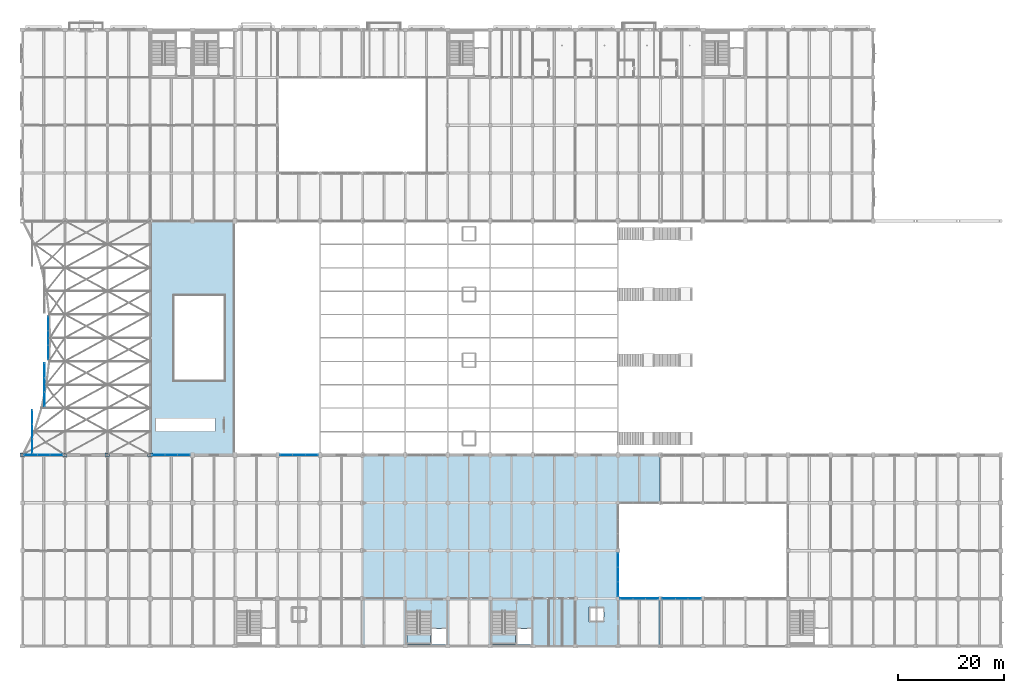
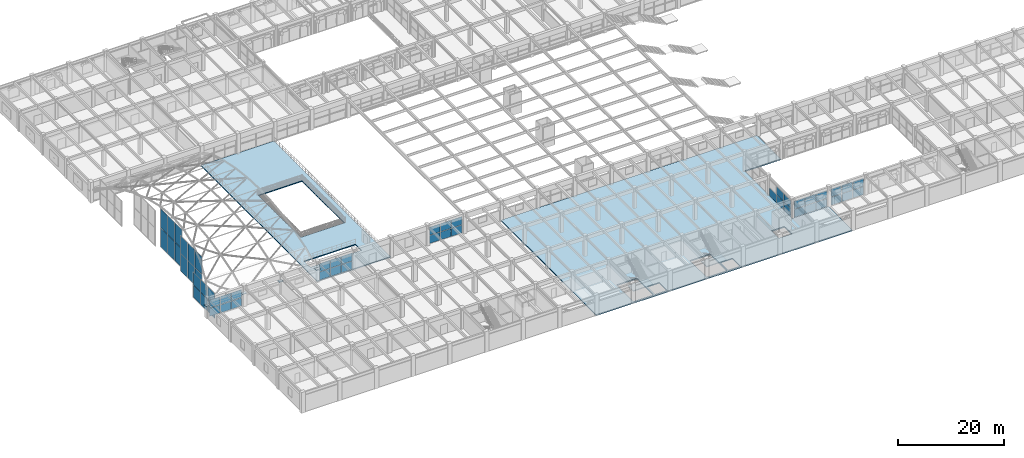
# One storey, part 92 of 144: 57 plates, 4 slabs, 11 elements without a shape of their own.
"""IFC4 building model written with IfcOpenShell, lengths in metres."""

from ifc_helpers import new_model, si_unit, direction, frame, origin, origin_2d, place, context, subcontext, project, spatial, polyline, rectangle, outline, extrude, material, layer, layer_set, type_object, element, aggregate, save


model = new_model("IFC4")

# Units and contexts
model_context = context("Model", 3, precision=1e-05, world=origin(), true_north=direction((0.0, 1.0)))
body_context = subcontext(model_context, "Body", "Model", "MODEL_VIEW")
ifc_project = project(units=[si_unit("LENGTHUNIT", "METRE"), si_unit("AREAUNIT", "SQUARE_METRE"), si_unit("VOLUMEUNIT", "CUBIC_METRE"), si_unit("PLANEANGLEUNIT", "RADIAN"), si_unit("MASSUNIT", "GRAM", prefix="KILO")], contexts=[model_context])

# Site, building, storey
site_placement = place(None, origin())
site = spatial("IfcSite", under=ifc_project, at=site_placement, CompositionType="ELEMENT")
building_placement = place(site_placement, origin())
building = spatial("IfcBuilding", under=site, at=building_placement, Name="Varnabhumi Central Station", CompositionType="ELEMENT")
storey_placement = place(building_placement, frame((0.0, 0.0, 4.800048828125)))
storey = spatial("IfcBuildingStorey", under=building, at=storey_placement, Name="L01", CompositionType="ELEMENT", Elevation=4.800048828125)

# Curtain wall, plates
ifc_material_1 = material(Name="Anodised aluminium 6063-T6", Category="aluminium")
curtain_wall_type_1 = type_object("IfcCurtainWallType", Name="CW-SPINE-SCREEN-L0", PredefinedType="NOTDEFINED", material=ifc_material_1)
curtain_wall_1_placement = place(storey_placement, origin())
curtain_wall_1 = element("IfcCurtainWall", 1, at=curtain_wall_1_placement, inside=storey, type_object=curtain_wall_type_1, Name="Curtain Wall CW-SS100", PredefinedType="NOTDEFINED")
ifc_material_2 = material(Name="Laminated low-E double glazing", Category="glass")
ifc_layer_1 = layer(ifc_material_2, 0.035888671875, Name="Laminated low-E double glazing", Category="glass")
ifc_layer_set_1 = layer_set([ifc_layer_1], Name="Laminated low-E double glazing")
plate_type_1 = type_object("IfcPlateType", Name="CW-PNL-GLZ-2", PredefinedType="CURTAIN_PANEL", material=ifc_layer_set_1)
plate_1_placement = place(storey_placement, frame((1.63330078125, 36.0, 0.0400390625), z_axis=(0.0, 0.0, 1.0), x_axis=(1.0, 0.0, 0.0)))
plate_1 = element("IfcPlate", 2, at=plate_1_placement, type_object=plate_type_1, Name="Glazed Panel CW-SS100-P11", PredefinedType="CURTAIN_PANEL", context=body_context, shape_type="SweptSolid", body=[
    extrude(rectangle(XDim=2.28662109375, YDim=0.035888671875, at=origin_2d()), origin(), (0.0, 0.0, 1.0), 1.840087890625),
])
plate_2_placement = place(storey_placement, frame((1.63330078125, 36.0, 1.9599609375), z_axis=(0.0, 0.0, 1.0), x_axis=(1.0, 0.0, 0.0)))
plate_2 = element("IfcPlate", 3, at=plate_2_placement, type_object=plate_type_1, Name="Glazed Panel CW-SS100-P12", PredefinedType="CURTAIN_PANEL", context=body_context, shape_type="SweptSolid", body=[
    extrude(rectangle(XDim=2.28662109375, YDim=0.035888671875, at=origin_2d()), origin(), (0.0, 0.0, 1.0), 1.840087890625),
])
plate_3_placement = place(storey_placement, frame((4.0, 36.0, 0.0400390625), z_axis=(0.0, 0.0, 1.0), x_axis=(1.0, 0.0, 0.0)))
plate_3 = element("IfcPlate", 4, at=plate_3_placement, type_object=plate_type_1, Name="Glazed Panel CW-SS100-P21", PredefinedType="CURTAIN_PANEL", context=body_context, shape_type="SweptSolid", body=[
    extrude(rectangle(XDim=2.28662109375, YDim=0.035888671875, at=origin_2d()), origin(), (0.0, 0.0, 1.0), 1.840087890625),
])
plate_4_placement = place(storey_placement, frame((4.0, 36.0, 1.9599609375), z_axis=(0.0, 0.0, 1.0), x_axis=(1.0, 0.0, 0.0)))
plate_4 = element("IfcPlate", 5, at=plate_4_placement, type_object=plate_type_1, Name="Glazed Panel CW-SS100-P22", PredefinedType="CURTAIN_PANEL", context=body_context, shape_type="SweptSolid", body=[
    extrude(rectangle(XDim=2.28662109375, YDim=0.035888671875, at=origin_2d()), origin(), (0.0, 0.0, 1.0), 1.840087890625),
])
plate_5_placement = place(storey_placement, frame((6.36669921875, 36.0, 0.0400390625), z_axis=(0.0, 0.0, 1.0), x_axis=(1.0, 0.0, 0.0)))
plate_5 = element("IfcPlate", 6, at=plate_5_placement, type_object=plate_type_1, Name="Glazed Panel CW-SS100-P31", PredefinedType="CURTAIN_PANEL", context=body_context, shape_type="SweptSolid", body=[
    extrude(rectangle(XDim=2.28662109375, YDim=0.035888671875, at=origin_2d()), origin(), (0.0, 0.0, 1.0), 1.840087890625),
])
plate_6_placement = place(storey_placement, frame((6.36669921875, 36.0, 1.9599609375), z_axis=(0.0, 0.0, 1.0), x_axis=(1.0, 0.0, 0.0)))
plate_6 = element("IfcPlate", 7, at=plate_6_placement, type_object=plate_type_1, Name="Glazed Panel CW-SS100-P32", PredefinedType="CURTAIN_PANEL", context=body_context, shape_type="SweptSolid", body=[
    extrude(rectangle(XDim=2.28662109375, YDim=0.035888671875, at=origin_2d()), origin(), (0.0, 0.0, 1.0), 1.840087890625),
])
aggregate(curtain_wall_1, [plate_1, plate_2, plate_3, plate_4, plate_5, plate_6])

curtain_wall_type_2 = type_object("IfcCurtainWallType", Name="CW-VAULT-ARCH-V1", PredefinedType="NOTDEFINED", material=ifc_material_1)
curtain_wall_2_placement = place(storey_placement, origin())
curtain_wall_2 = element("IfcCurtainWall", 8, at=curtain_wall_2_placement, inside=storey, type_object=curtain_wall_type_2, Name="Curtain Wall CW-V11", PredefinedType="NOTDEFINED")
ifc_layer_2 = layer(ifc_material_2, 0.035888671875, Name="Laminated low-E double glazing", Category="glass")
ifc_layer_set_2 = layer_set([ifc_layer_2], Name="Laminated low-E double glazing")
plate_type_2 = type_object("IfcPlateType", Name="CW-PNL-GLZ-3", PredefinedType="CURTAIN_PANEL", material=ifc_layer_set_2)
plate_7_placement = place(storey_placement, frame((1.864013671875, 37.699951171875, -1.16015625), z_axis=(0.0, 0.0, 1.0), x_axis=(0.0, 1.0, 0.0)))
plate_7 = element("IfcPlate", 9, at=plate_7_placement, type_object=plate_type_2, Name="Glazed Panel CW-V11-P11", PredefinedType="CURTAIN_PANEL", context=body_context, shape_type="SweptSolid", body=[
    extrude(rectangle(XDim=2.6201171875, YDim=0.035888671875, at=origin_2d()), origin(), (0.0, 0.0, 1.0), 2.85205078125),
])
plate_8_placement = place(storey_placement, frame((1.864013671875, 37.699951171875, 1.77197265625), z_axis=(0.0, 0.0, 1.0), x_axis=(0.0, 1.0, 0.0)))
plate_8 = element("IfcPlate", 10, at=plate_8_placement, type_object=plate_type_2, Name="Glazed Panel CW-V11-P12", PredefinedType="CURTAIN_PANEL", context=body_context, shape_type="SweptSolid", body=[
    extrude(rectangle(XDim=2.6201171875, YDim=0.035888671875, at=origin_2d()), origin(), (0.0, 0.0, 1.0), 2.85205078125),
])
plate_9_placement = place(storey_placement, frame((1.864013671875, 40.39990234375, -1.16015625), z_axis=(0.0, 0.0, 1.0), x_axis=(0.0, 1.0, 0.0)))
plate_9 = element("IfcPlate", 11, at=plate_9_placement, type_object=plate_type_2, Name="Glazed Panel CW-V11-P21", PredefinedType="CURTAIN_PANEL", context=body_context, shape_type="SweptSolid", body=[
    extrude(rectangle(XDim=2.6201171875, YDim=0.035888671875, at=origin_2d()), origin(), (0.0, 0.0, 1.0), 2.85205078125),
])
plate_10_placement = place(storey_placement, frame((1.864013671875, 40.39990234375, 1.77197265625), z_axis=(0.0, 0.0, 1.0), x_axis=(0.0, 1.0, 0.0)))
plate_10 = element("IfcPlate", 12, at=plate_10_placement, type_object=plate_type_2, Name="Glazed Panel CW-V11-P22", PredefinedType="CURTAIN_PANEL", context=body_context, shape_type="SweptSolid", body=[
    extrude(rectangle(XDim=2.6201171875, YDim=0.035888671875, at=origin_2d()), origin(), (0.0, 0.0, 1.0), 2.85205078125),
])
plate_11_placement = place(storey_placement, frame((1.864013671875, 43.10009765625, -1.16015625), z_axis=(0.0, 0.0, 1.0), x_axis=(0.0, 1.0, 0.0)))
plate_11 = element("IfcPlate", 13, at=plate_11_placement, type_object=plate_type_2, Name="Glazed Panel CW-V11-P31", PredefinedType="CURTAIN_PANEL", context=body_context, shape_type="SweptSolid", body=[
    extrude(rectangle(XDim=2.6201171875, YDim=0.035888671875, at=origin_2d()), origin(), (0.0, 0.0, 1.0), 2.85205078125),
])
plate_12_placement = place(storey_placement, frame((1.864013671875, 43.10009765625, 1.77197265625), z_axis=(0.0, 0.0, 1.0), x_axis=(0.0, 1.0, 0.0)))
plate_12 = element("IfcPlate", 14, at=plate_12_placement, type_object=plate_type_2, Name="Glazed Panel CW-V11-P32", PredefinedType="CURTAIN_PANEL", context=body_context, shape_type="SweptSolid", body=[
    extrude(rectangle(XDim=2.6201171875, YDim=0.035888671875, at=origin_2d()), origin(), (0.0, 0.0, 1.0), 2.85205078125),
])
aggregate(curtain_wall_2, [plate_7, plate_8, plate_9, plate_10, plate_11, plate_12])

curtain_wall_3_placement = place(storey_placement, origin())
curtain_wall_3 = element("IfcCurtainWall", 15, at=curtain_wall_3_placement, inside=storey, type_object=curtain_wall_type_2, Name="Curtain Wall CW-V12", PredefinedType="NOTDEFINED")
plate_13_placement = place(storey_placement, frame((4.14111328125, 46.5, -1.16015625), z_axis=(0.0, 0.0, 1.0), x_axis=(0.0, 1.0, 0.0)))
plate_13 = element("IfcPlate", 16, at=plate_13_placement, type_object=plate_type_2, Name="Glazed Panel CW-V12-P11", PredefinedType="CURTAIN_PANEL", context=body_context, shape_type="SweptSolid", body=[
    extrude(rectangle(XDim=2.6201171875, YDim=0.035888671875, at=origin_2d()), origin(), (0.0, 0.0, 1.0), 3.99072265625),
])
plate_14_placement = place(storey_placement, frame((4.14111328125, 46.5, 2.91064453125), z_axis=(0.0, 0.0, 1.0), x_axis=(0.0, 1.0, 0.0)))
plate_14 = element("IfcPlate", 17, at=plate_14_placement, type_object=plate_type_2, Name="Glazed Panel CW-V12-P12", PredefinedType="CURTAIN_PANEL", context=body_context, shape_type="SweptSolid", body=[
    extrude(rectangle(XDim=2.6201171875, YDim=0.035888671875, at=origin_2d()), origin(), (0.0, 0.0, 1.0), 3.99072265625),
])
plate_15_placement = place(storey_placement, frame((4.14111328125, 49.199951171875, -1.16015625), z_axis=(0.0, 0.0, 1.0), x_axis=(0.0, 1.0, 0.0)))
plate_15 = element("IfcPlate", 18, at=plate_15_placement, type_object=plate_type_2, Name="Glazed Panel CW-V12-P21", PredefinedType="CURTAIN_PANEL", context=body_context, shape_type="SweptSolid", body=[
    extrude(rectangle(XDim=2.6201171875, YDim=0.035888671875, at=origin_2d()), origin(), (0.0, 0.0, 1.0), 3.99072265625),
])
plate_16_placement = place(storey_placement, frame((4.14111328125, 49.199951171875, 2.91064453125), z_axis=(0.0, 0.0, 1.0), x_axis=(0.0, 1.0, 0.0)))
plate_16 = element("IfcPlate", 19, at=plate_16_placement, type_object=plate_type_2, Name="Glazed Panel CW-V12-P22", PredefinedType="CURTAIN_PANEL", context=body_context, shape_type="SweptSolid", body=[
    extrude(rectangle(XDim=2.6201171875, YDim=0.035888671875, at=origin_2d()), origin(), (0.0, 0.0, 1.0), 3.99072265625),
])
plate_17_placement = place(storey_placement, frame((4.14111328125, 51.89990234375, -1.16015625), z_axis=(0.0, 0.0, 1.0), x_axis=(0.0, 1.0, 0.0)))
plate_17 = element("IfcPlate", 20, at=plate_17_placement, type_object=plate_type_2, Name="Glazed Panel CW-V12-P31", PredefinedType="CURTAIN_PANEL", context=body_context, shape_type="SweptSolid", body=[
    extrude(rectangle(XDim=2.6201171875, YDim=0.035888671875, at=origin_2d()), origin(), (0.0, 0.0, 1.0), 3.99072265625),
])
plate_18_placement = place(storey_placement, frame((4.14111328125, 51.89990234375, 2.91064453125), z_axis=(0.0, 0.0, 1.0), x_axis=(0.0, 1.0, 0.0)))
plate_18 = element("IfcPlate", 21, at=plate_18_placement, type_object=plate_type_2, Name="Glazed Panel CW-V12-P32", PredefinedType="CURTAIN_PANEL", context=body_context, shape_type="SweptSolid", body=[
    extrude(rectangle(XDim=2.6201171875, YDim=0.035888671875, at=origin_2d()), origin(), (0.0, 0.0, 1.0), 3.99072265625),
])
aggregate(curtain_wall_3, [plate_13, plate_14, plate_15, plate_16, plate_17, plate_18])

curtain_wall_4_placement = place(storey_placement, origin())
curtain_wall_4 = element("IfcCurtainWall", 22, at=curtain_wall_4_placement, inside=storey, type_object=curtain_wall_type_2, Name="Curtain Wall CW-V13", PredefinedType="NOTDEFINED")
plate_19_placement = place(storey_placement, frame((4.85009765625, 55.300048828125, -1.16015625), z_axis=(0.0, 0.0, 1.0), x_axis=(0.0, 1.0, 0.0)))
plate_19 = element("IfcPlate", 23, at=plate_19_placement, type_object=plate_type_2, Name="Glazed Panel CW-V13-P11", PredefinedType="CURTAIN_PANEL", context=body_context, shape_type="SweptSolid", body=[
    extrude(rectangle(XDim=2.6201171875, YDim=0.035888671875, at=origin_2d()), origin(), (0.0, 0.0, 1.0), 4.344970703125),
])
plate_20_placement = place(storey_placement, frame((4.85009765625, 55.300048828125, 3.26513671875), z_axis=(0.0, 0.0, 1.0), x_axis=(0.0, 1.0, 0.0)))
plate_20 = element("IfcPlate", 24, at=plate_20_placement, type_object=plate_type_2, Name="Glazed Panel CW-V13-P12", PredefinedType="CURTAIN_PANEL", context=body_context, shape_type="SweptSolid", body=[
    extrude(rectangle(XDim=2.6201171875, YDim=0.035888671875, at=origin_2d()), origin(), (0.0, 0.0, 1.0), 4.344970703125),
])
plate_21_placement = place(storey_placement, frame((4.85009765625, 58.0, -1.16015625), z_axis=(0.0, 0.0, 1.0), x_axis=(0.0, 1.0, 0.0)))
plate_21 = element("IfcPlate", 25, at=plate_21_placement, type_object=plate_type_2, Name="Glazed Panel CW-V13-P21", PredefinedType="CURTAIN_PANEL", context=body_context, shape_type="SweptSolid", body=[
    extrude(rectangle(XDim=2.6201171875, YDim=0.035888671875, at=origin_2d()), origin(), (0.0, 0.0, 1.0), 4.344970703125),
])
plate_22_placement = place(storey_placement, frame((4.85009765625, 58.0, 3.26513671875), z_axis=(0.0, 0.0, 1.0), x_axis=(0.0, 1.0, 0.0)))
plate_22 = element("IfcPlate", 26, at=plate_22_placement, type_object=plate_type_2, Name="Glazed Panel CW-V13-P22", PredefinedType="CURTAIN_PANEL", context=body_context, shape_type="SweptSolid", body=[
    extrude(rectangle(XDim=2.6201171875, YDim=0.035888671875, at=origin_2d()), origin(), (0.0, 0.0, 1.0), 4.344970703125),
])
plate_23_placement = place(storey_placement, frame((4.85009765625, 60.699951171875, -1.16015625), z_axis=(0.0, 0.0, 1.0), x_axis=(0.0, 1.0, 0.0)))
plate_23 = element("IfcPlate", 27, at=plate_23_placement, type_object=plate_type_2, Name="Glazed Panel CW-V13-P31", PredefinedType="CURTAIN_PANEL", context=body_context, shape_type="SweptSolid", body=[
    extrude(rectangle(XDim=2.6201171875, YDim=0.035888671875, at=origin_2d()), origin(), (0.0, 0.0, 1.0), 4.344970703125),
])
plate_24_placement = place(storey_placement, frame((4.85009765625, 60.699951171875, 3.26513671875), z_axis=(0.0, 0.0, 1.0), x_axis=(0.0, 1.0, 0.0)))
plate_24 = element("IfcPlate", 28, at=plate_24_placement, type_object=plate_type_2, Name="Glazed Panel CW-V13-P32", PredefinedType="CURTAIN_PANEL", context=body_context, shape_type="SweptSolid", body=[
    extrude(rectangle(XDim=2.6201171875, YDim=0.035888671875, at=origin_2d()), origin(), (0.0, 0.0, 1.0), 4.344970703125),
])
aggregate(curtain_wall_4, [plate_19, plate_20, plate_21, plate_22, plate_23, plate_24])

curtain_wall_type_3 = type_object("IfcCurtainWallType", Name="CW-PATIO-LOGGIA-L1", PredefinedType="NOTDEFINED", material=ifc_material_1)
curtain_wall_5_placement = place(storey_placement, origin())
curtain_wall_5 = element("IfcCurtainWall", 29, at=curtain_wall_5_placement, inside=storey, type_object=curtain_wall_type_3, Name="Curtain Wall CW-SP1E1", PredefinedType="NOTDEFINED")
plate_25_placement = place(storey_placement, frame((112.0, 10.780029296875, 0.0400390625), z_axis=(0.0, 0.0, 1.0), x_axis=(0.0, 1.0, 0.0)))
plate_25 = element("IfcPlate", 30, at=plate_25_placement, type_object=plate_type_2, Name="Glazed Panel CW-SP1E1-P11", PredefinedType="CURTAIN_PANEL", context=body_context, shape_type="SweptSolid", body=[
    extrude(rectangle(XDim=2.639892578125, YDim=0.035888671875, at=origin_2d()), origin(), (0.0, 0.0, 1.0), 1.840087890625),
])
plate_26_placement = place(storey_placement, frame((112.0, 10.780029296875, 1.9599609375), z_axis=(0.0, 0.0, 1.0), x_axis=(0.0, 1.0, 0.0)))
plate_26 = element("IfcPlate", 31, at=plate_26_placement, type_object=plate_type_2, Name="Glazed Panel CW-SP1E1-P12", PredefinedType="CURTAIN_PANEL", context=body_context, shape_type="SweptSolid", body=[
    extrude(rectangle(XDim=2.639892578125, YDim=0.035888671875, at=origin_2d()), origin(), (0.0, 0.0, 1.0), 1.840087890625),
])
plate_27_placement = place(storey_placement, frame((112.0, 13.5, 0.0400390625), z_axis=(0.0, 0.0, 1.0), x_axis=(0.0, 1.0, 0.0)))
plate_27 = element("IfcPlate", 32, at=plate_27_placement, type_object=plate_type_2, Name="Glazed Panel CW-SP1E1-P21", PredefinedType="CURTAIN_PANEL", context=body_context, shape_type="SweptSolid", body=[
    extrude(rectangle(XDim=2.639892578125, YDim=0.035888671875, at=origin_2d()), origin(), (0.0, 0.0, 1.0), 1.840087890625),
])
plate_28_placement = place(storey_placement, frame((112.0, 13.5, 1.9599609375), z_axis=(0.0, 0.0, 1.0), x_axis=(0.0, 1.0, 0.0)))
plate_28 = element("IfcPlate", 33, at=plate_28_placement, type_object=plate_type_2, Name="Glazed Panel CW-SP1E1-P22", PredefinedType="CURTAIN_PANEL", context=body_context, shape_type="SweptSolid", body=[
    extrude(rectangle(XDim=2.639892578125, YDim=0.035888671875, at=origin_2d()), origin(), (0.0, 0.0, 1.0), 1.840087890625),
])
plate_29_placement = place(storey_placement, frame((112.0, 16.219970703125, 0.0400390625), z_axis=(0.0, 0.0, 1.0), x_axis=(0.0, 1.0, 0.0)))
plate_29 = element("IfcPlate", 34, at=plate_29_placement, type_object=plate_type_2, Name="Glazed Panel CW-SP1E1-P31", PredefinedType="CURTAIN_PANEL", context=body_context, shape_type="SweptSolid", body=[
    extrude(rectangle(XDim=2.639892578125, YDim=0.035888671875, at=origin_2d()), origin(), (0.0, 0.0, 1.0), 1.840087890625),
])
aggregate(curtain_wall_5, [plate_25, plate_26, plate_27, plate_28, plate_29])

curtain_wall_6_placement = place(storey_placement, origin())
curtain_wall_6 = element("IfcCurtainWall", 35, at=curtain_wall_6_placement, inside=storey, type_object=curtain_wall_type_1, Name="Curtain Wall CW-SS103", PredefinedType="NOTDEFINED")
ifc_layer_3 = layer(ifc_material_2, 0.035888671875, Name="Laminated low-E double glazing", Category="glass")
ifc_layer_set_3 = layer_set([ifc_layer_3], Name="Laminated low-E double glazing")
plate_type_3 = type_object("IfcPlateType", Name="CW-PNL-GLZ-5", PredefinedType="CURTAIN_PANEL", material=ifc_layer_set_3)
plate_30_placement = place(storey_placement, frame((25.63330078125, 36.0, 0.0400390625), z_axis=(0.0, 0.0, 1.0), x_axis=(1.0, 0.0, 0.0)))
plate_30 = element("IfcPlate", 36, at=plate_30_placement, type_object=plate_type_3, Name="Glazed Panel CW-SS103-P11", PredefinedType="CURTAIN_PANEL", context=body_context, shape_type="SweptSolid", body=[
    extrude(rectangle(XDim=2.28662109375, YDim=0.035888671875, at=origin_2d()), origin(), (0.0, 0.0, 1.0), 1.840087890625),
])
plate_31_placement = place(storey_placement, frame((25.63330078125, 36.0, 1.9599609375), z_axis=(0.0, 0.0, 1.0), x_axis=(1.0, 0.0, 0.0)))
plate_31 = element("IfcPlate", 37, at=plate_31_placement, type_object=plate_type_3, Name="Glazed Panel CW-SS103-P12", PredefinedType="CURTAIN_PANEL", context=body_context, shape_type="SweptSolid", body=[
    extrude(rectangle(XDim=2.28662109375, YDim=0.035888671875, at=origin_2d()), origin(), (0.0, 0.0, 1.0), 1.840087890625),
])
plate_32_placement = place(storey_placement, frame((28.0, 36.0, 0.0400390625), z_axis=(0.0, 0.0, 1.0), x_axis=(1.0, 0.0, 0.0)))
plate_32 = element("IfcPlate", 38, at=plate_32_placement, type_object=plate_type_3, Name="Glazed Panel CW-SS103-P21", PredefinedType="CURTAIN_PANEL", context=body_context, shape_type="SweptSolid", body=[
    extrude(rectangle(XDim=2.28662109375, YDim=0.035888671875, at=origin_2d()), origin(), (0.0, 0.0, 1.0), 1.840087890625),
])
plate_33_placement = place(storey_placement, frame((28.0, 36.0, 1.9599609375), z_axis=(0.0, 0.0, 1.0), x_axis=(1.0, 0.0, 0.0)))
plate_33 = element("IfcPlate", 39, at=plate_33_placement, type_object=plate_type_3, Name="Glazed Panel CW-SS103-P22", PredefinedType="CURTAIN_PANEL", context=body_context, shape_type="SweptSolid", body=[
    extrude(rectangle(XDim=2.28662109375, YDim=0.035888671875, at=origin_2d()), origin(), (0.0, 0.0, 1.0), 1.840087890625),
])
plate_34_placement = place(storey_placement, frame((30.36669921875, 36.0, 0.0400390625), z_axis=(0.0, 0.0, 1.0), x_axis=(1.0, 0.0, 0.0)))
plate_34 = element("IfcPlate", 40, at=plate_34_placement, type_object=plate_type_3, Name="Glazed Panel CW-SS103-P31", PredefinedType="CURTAIN_PANEL", context=body_context, shape_type="SweptSolid", body=[
    extrude(rectangle(XDim=2.28662109375, YDim=0.035888671875, at=origin_2d()), origin(), (0.0, 0.0, 1.0), 1.840087890625),
])
plate_35_placement = place(storey_placement, frame((30.36669921875, 36.0, 1.9599609375), z_axis=(0.0, 0.0, 1.0), x_axis=(1.0, 0.0, 0.0)))
plate_35 = element("IfcPlate", 41, at=plate_35_placement, type_object=plate_type_3, Name="Glazed Panel CW-SS103-P32", PredefinedType="CURTAIN_PANEL", context=body_context, shape_type="SweptSolid", body=[
    extrude(rectangle(XDim=2.28662109375, YDim=0.035888671875, at=origin_2d()), origin(), (0.0, 0.0, 1.0), 1.840087890625),
])
aggregate(curtain_wall_6, [plate_30, plate_31, plate_32, plate_33, plate_34, plate_35])

curtain_wall_7_placement = place(storey_placement, origin())
curtain_wall_7 = element("IfcCurtainWall", 42, at=curtain_wall_7_placement, inside=storey, type_object=curtain_wall_type_3, Name="Curtain Wall CW-SP1S1", PredefinedType="NOTDEFINED")
plate_36_placement = place(storey_placement, frame((113.61328125, 9.0, 0.0400390625), z_axis=(0.0, 0.0, 1.0), x_axis=(1.0, 0.0, 0.0)))
plate_36 = element("IfcPlate", 43, at=plate_36_placement, type_object=plate_type_3, Name="Glazed Panel CW-SP1S1-P11", PredefinedType="CURTAIN_PANEL", context=body_context, shape_type="SweptSolid", body=[
    extrude(rectangle(XDim=2.306640625, YDim=0.035888671875, at=origin_2d()), origin(), (0.0, 0.0, 1.0), 1.840087890625),
])
plate_37_placement = place(storey_placement, frame((113.61328125, 9.0, 1.9599609375), z_axis=(0.0, 0.0, 1.0), x_axis=(1.0, 0.0, 0.0)))
plate_37 = element("IfcPlate", 44, at=plate_37_placement, type_object=plate_type_3, Name="Glazed Panel CW-SP1S1-P12", PredefinedType="CURTAIN_PANEL", context=body_context, shape_type="SweptSolid", body=[
    extrude(rectangle(XDim=2.306640625, YDim=0.035888671875, at=origin_2d()), origin(), (0.0, 0.0, 1.0), 1.840087890625),
])
plate_38_placement = place(storey_placement, frame((116.0, 9.0, 0.0400390625), z_axis=(0.0, 0.0, 1.0), x_axis=(1.0, 0.0, 0.0)))
plate_38 = element("IfcPlate", 45, at=plate_38_placement, type_object=plate_type_3, Name="Glazed Panel CW-SP1S1-P21", PredefinedType="CURTAIN_PANEL", context=body_context, shape_type="SweptSolid", body=[
    extrude(rectangle(XDim=2.306640625, YDim=0.035888671875, at=origin_2d()), origin(), (0.0, 0.0, 1.0), 1.840087890625),
])
plate_39_placement = place(storey_placement, frame((116.0, 9.0, 1.9599609375), z_axis=(0.0, 0.0, 1.0), x_axis=(1.0, 0.0, 0.0)))
plate_39 = element("IfcPlate", 46, at=plate_39_placement, type_object=plate_type_3, Name="Glazed Panel CW-SP1S1-P22", PredefinedType="CURTAIN_PANEL", context=body_context, shape_type="SweptSolid", body=[
    extrude(rectangle(XDim=2.306640625, YDim=0.035888671875, at=origin_2d()), origin(), (0.0, 0.0, 1.0), 1.840087890625),
])
plate_40_placement = place(storey_placement, frame((118.38671875, 9.0, 0.0400390625), z_axis=(0.0, 0.0, 1.0), x_axis=(1.0, 0.0, 0.0)))
plate_40 = element("IfcPlate", 47, at=plate_40_placement, type_object=plate_type_3, Name="Glazed Panel CW-SP1S1-P31", PredefinedType="CURTAIN_PANEL", context=body_context, shape_type="SweptSolid", body=[
    extrude(rectangle(XDim=2.306640625, YDim=0.035888671875, at=origin_2d()), origin(), (0.0, 0.0, 1.0), 1.840087890625),
])
plate_41_placement = place(storey_placement, frame((118.38671875, 9.0, 1.9599609375), z_axis=(0.0, 0.0, 1.0), x_axis=(1.0, 0.0, 0.0)))
plate_41 = element("IfcPlate", 48, at=plate_41_placement, type_object=plate_type_3, Name="Glazed Panel CW-SP1S1-P32", PredefinedType="CURTAIN_PANEL", context=body_context, shape_type="SweptSolid", body=[
    extrude(rectangle(XDim=2.306640625, YDim=0.035888671875, at=origin_2d()), origin(), (0.0, 0.0, 1.0), 1.840087890625),
])
aggregate(curtain_wall_7, [plate_36, plate_37, plate_38, plate_39, plate_40, plate_41])

curtain_wall_8_placement = place(storey_placement, origin())
curtain_wall_8 = element("IfcCurtainWall", 49, at=curtain_wall_8_placement, inside=storey, type_object=curtain_wall_type_3, Name="Curtain Wall CW-SP1S2", PredefinedType="NOTDEFINED")
ifc_layer_4 = layer(ifc_material_2, 0.035888671875, Name="Laminated low-E double glazing", Category="glass")
ifc_layer_set_4 = layer_set([ifc_layer_4], Name="Laminated low-E double glazing")
plate_type_4 = type_object("IfcPlateType", Name="CW-PNL-GLZ-6", PredefinedType="CURTAIN_PANEL", material=ifc_layer_set_4)
plate_42_placement = place(storey_placement, frame((121.61328125, 9.0, 0.0400390625), z_axis=(0.0, 0.0, 1.0), x_axis=(1.0, 0.0, 0.0)))
plate_42 = element("IfcPlate", 50, at=plate_42_placement, type_object=plate_type_4, Name="Glazed Panel CW-SP1S2-P11", PredefinedType="CURTAIN_PANEL", context=body_context, shape_type="SweptSolid", body=[
    extrude(rectangle(XDim=2.306640625, YDim=0.035888671875, at=origin_2d()), origin(), (0.0, 0.0, 1.0), 1.840087890625),
])
plate_43_placement = place(storey_placement, frame((121.61328125, 9.0, 1.9599609375), z_axis=(0.0, 0.0, 1.0), x_axis=(1.0, 0.0, 0.0)))
plate_43 = element("IfcPlate", 51, at=plate_43_placement, type_object=plate_type_4, Name="Glazed Panel CW-SP1S2-P12", PredefinedType="CURTAIN_PANEL", context=body_context, shape_type="SweptSolid", body=[
    extrude(rectangle(XDim=2.306640625, YDim=0.035888671875, at=origin_2d()), origin(), (0.0, 0.0, 1.0), 1.840087890625),
])
plate_44_placement = place(storey_placement, frame((124.0, 9.0, 0.0400390625), z_axis=(0.0, 0.0, 1.0), x_axis=(1.0, 0.0, 0.0)))
plate_44 = element("IfcPlate", 52, at=plate_44_placement, type_object=plate_type_4, Name="Glazed Panel CW-SP1S2-P21", PredefinedType="CURTAIN_PANEL", context=body_context, shape_type="SweptSolid", body=[
    extrude(rectangle(XDim=2.306640625, YDim=0.035888671875, at=origin_2d()), origin(), (0.0, 0.0, 1.0), 1.840087890625),
])
plate_45_placement = place(storey_placement, frame((124.0, 9.0, 1.9599609375), z_axis=(0.0, 0.0, 1.0), x_axis=(1.0, 0.0, 0.0)))
plate_45 = element("IfcPlate", 53, at=plate_45_placement, type_object=plate_type_4, Name="Glazed Panel CW-SP1S2-P22", PredefinedType="CURTAIN_PANEL", context=body_context, shape_type="SweptSolid", body=[
    extrude(rectangle(XDim=2.306640625, YDim=0.035888671875, at=origin_2d()), origin(), (0.0, 0.0, 1.0), 1.840087890625),
])
plate_46_placement = place(storey_placement, frame((126.38671875, 9.0, 0.0400390625), z_axis=(0.0, 0.0, 1.0), x_axis=(1.0, 0.0, 0.0)))
plate_46 = element("IfcPlate", 54, at=plate_46_placement, type_object=plate_type_4, Name="Glazed Panel CW-SP1S2-P31", PredefinedType="CURTAIN_PANEL", context=body_context, shape_type="SweptSolid", body=[
    extrude(rectangle(XDim=2.306640625, YDim=0.035888671875, at=origin_2d()), origin(), (0.0, 0.0, 1.0), 1.840087890625),
])
plate_47_placement = place(storey_placement, frame((126.38671875, 9.0, 1.9599609375), z_axis=(0.0, 0.0, 1.0), x_axis=(1.0, 0.0, 0.0)))
plate_47 = element("IfcPlate", 55, at=plate_47_placement, type_object=plate_type_4, Name="Glazed Panel CW-SP1S2-P32", PredefinedType="CURTAIN_PANEL", context=body_context, shape_type="SweptSolid", body=[
    extrude(rectangle(XDim=2.306640625, YDim=0.035888671875, at=origin_2d()), origin(), (0.0, 0.0, 1.0), 1.840087890625),
])
aggregate(curtain_wall_8, [plate_42, plate_43, plate_44, plate_45, plate_46, plate_47])

curtain_wall_9_placement = place(storey_placement, origin())
curtain_wall_9 = element("IfcCurtainWall", 56, at=curtain_wall_9_placement, inside=storey, type_object=curtain_wall_type_1, Name="Curtain Wall CW-SS106", PredefinedType="NOTDEFINED")
ifc_layer_5 = layer(ifc_material_2, 0.035888671875, Name="Laminated low-E double glazing", Category="glass")
ifc_layer_set_5 = layer_set([ifc_layer_5], Name="Laminated low-E double glazing")
plate_type_5 = type_object("IfcPlateType", Name="CW-PNL-GLZ-8", PredefinedType="CURTAIN_PANEL", material=ifc_layer_set_5)
plate_48_placement = place(storey_placement, frame((49.63330078125, 36.0, 0.0400390625), z_axis=(0.0, 0.0, 1.0), x_axis=(1.0, 0.0, 0.0)))
plate_48 = element("IfcPlate", 57, at=plate_48_placement, type_object=plate_type_5, Name="Glazed Panel CW-SS106-P11", PredefinedType="CURTAIN_PANEL", context=body_context, shape_type="SweptSolid", body=[
    extrude(rectangle(XDim=2.28662109375, YDim=0.035888671875, at=origin_2d()), origin(), (0.0, 0.0, 1.0), 1.840087890625),
])
plate_49_placement = place(storey_placement, frame((49.63330078125, 36.0, 1.9599609375), z_axis=(0.0, 0.0, 1.0), x_axis=(1.0, 0.0, 0.0)))
plate_49 = element("IfcPlate", 58, at=plate_49_placement, type_object=plate_type_5, Name="Glazed Panel CW-SS106-P12", PredefinedType="CURTAIN_PANEL", context=body_context, shape_type="SweptSolid", body=[
    extrude(rectangle(XDim=2.28662109375, YDim=0.035888671875, at=origin_2d()), origin(), (0.0, 0.0, 1.0), 1.840087890625),
])
plate_50_placement = place(storey_placement, frame((52.0, 36.0, 0.0400390625), z_axis=(0.0, 0.0, 1.0), x_axis=(1.0, 0.0, 0.0)))
plate_50 = element("IfcPlate", 59, at=plate_50_placement, type_object=plate_type_5, Name="Glazed Panel CW-SS106-P21", PredefinedType="CURTAIN_PANEL", context=body_context, shape_type="SweptSolid", body=[
    extrude(rectangle(XDim=2.28662109375, YDim=0.035888671875, at=origin_2d()), origin(), (0.0, 0.0, 1.0), 1.840087890625),
])
plate_51_placement = place(storey_placement, frame((52.0, 36.0, 1.9599609375), z_axis=(0.0, 0.0, 1.0), x_axis=(1.0, 0.0, 0.0)))
plate_51 = element("IfcPlate", 60, at=plate_51_placement, type_object=plate_type_5, Name="Glazed Panel CW-SS106-P22", PredefinedType="CURTAIN_PANEL", context=body_context, shape_type="SweptSolid", body=[
    extrude(rectangle(XDim=2.28662109375, YDim=0.035888671875, at=origin_2d()), origin(), (0.0, 0.0, 1.0), 1.840087890625),
])
plate_52_placement = place(storey_placement, frame((54.36669921875, 36.0, 0.0400390625), z_axis=(0.0, 0.0, 1.0), x_axis=(1.0, 0.0, 0.0)))
plate_52 = element("IfcPlate", 61, at=plate_52_placement, type_object=plate_type_5, Name="Glazed Panel CW-SS106-P31", PredefinedType="CURTAIN_PANEL", context=body_context, shape_type="SweptSolid", body=[
    extrude(rectangle(XDim=2.28662109375, YDim=0.035888671875, at=origin_2d()), origin(), (0.0, 0.0, 1.0), 1.840087890625),
])
plate_53_placement = place(storey_placement, frame((54.36669921875, 36.0, 1.9599609375), z_axis=(0.0, 0.0, 1.0), x_axis=(1.0, 0.0, 0.0)))
plate_53 = element("IfcPlate", 62, at=plate_53_placement, type_object=plate_type_5, Name="Glazed Panel CW-SS106-P32", PredefinedType="CURTAIN_PANEL", context=body_context, shape_type="SweptSolid", body=[
    extrude(rectangle(XDim=2.28662109375, YDim=0.035888671875, at=origin_2d()), origin(), (0.0, 0.0, 1.0), 1.840087890625),
])
aggregate(curtain_wall_9, [plate_48, plate_49, plate_50, plate_51, plate_52, plate_53])

# Plates
ifc_material_3 = material(Name="Structural steel E350", Category="steel")
ifc_layer_6 = layer(ifc_material_3, 0.031982421875, Name="Structural steel E350", Category="steel")
ifc_layer_set_6 = layer_set([ifc_layer_6], Name="Structural steel E350")
plate_type_6 = type_object("IfcPlateType", Name="PLT-GUSSET-A", PredefinedType="USERDEFINED", material=ifc_layer_set_6)
for number, where, z_axis, x_axis, name in (
    (63, (0.0, 36.0, 2.7841796875), (0.0, 0.0, 1.0), (1.0, 0.0, 0.0), "Forecourt Arrival Canopy Vault Arch Springing Gusset 1-S"),
    (64, (8.0, 36.0, 2.7841796875), (0.0, 0.0, 1.0), (1.0, 0.0, 0.0), "Forecourt Arrival Canopy Vault Arch Springing Gusset 2-S"),
    (65, (16.0, 36.0, 2.7841796875), (0.0, 0.0, 1.0), (1.0, 0.0, 0.0), "Forecourt Arrival Canopy Vault Arch Springing Gusset 3-S"),
    (66, (24.0, 36.0, 2.7841796875), (0.0, 0.0, 1.0), (1.0, 0.0, 0.0), "Forecourt Arrival Canopy Vault Arch Springing Gusset 4-S"),
):
    element("IfcPlate", number, at=place(storey_placement, frame(where, z_axis=z_axis, x_axis=x_axis)), inside=storey, type_object=plate_type_6, Name=name, ObjectType="GUSSET PLATE", PredefinedType="USERDEFINED", context=body_context, shape_type="SweptSolid", body=[
        extrude(rectangle(XDim=0.85009765625, YDim=0.64990234375, at=origin_2d()), origin(), (0.0, 0.0, 1.0), 0.031982421875),
    ])

# Slab
ifc_material_4 = material(Name="Concrete M40", Category="concrete")
ifc_layer_7 = layer(ifc_material_4, 0.219970703125, Name="Concrete M40", Category="concrete")
ifc_layer_set_7 = layer_set([ifc_layer_7], Name="Concrete M40")
slab_type_1 = type_object("IfcSlabType", Name="SLB-MEZZ-220", PredefinedType="FLOOR", material=ifc_layer_set_7)
slab_1_placement = place(storey_placement, frame((0.0, 0.0, -0.219970703125)))
element("IfcSlab", 67, at=slab_1_placement, inside=storey, type_object=slab_type_1, Name="L01 Arrival Mezzanine Gallery Slab", PredefinedType="FLOOR", context=body_context, shape_type="SweptSolid", body=[
    extrude(outline(polyline([(24.0, 36.0), (40.0, 36.0), (40.0, 80.0), (24.0, 80.0), (24.0, 36.0)]), holes=[polyline([(28.5, 50.0), (38.0, 50.0), (38.0, 66.0), (28.5, 66.0), (28.5, 50.0)]), polyline([(25.10009765625, 40.550048828125), (36.300048828125, 40.550048828125), (36.300048828125, 42.85009765625), (25.10009765625, 42.85009765625), (25.10009765625, 40.550048828125)])]), origin(), (0.0, 0.0, 1.0), 0.219970703125),
])

# Stair, slab
stair_type = type_object("IfcStairType", Name="STR-CORE-4800", PredefinedType="DOUBLE_RETURN_STAIR", material=ifc_material_4)
stair_1_placement = place(storey_placement, origin())
stair_1 = element("IfcStair", 68, at=stair_1_placement, inside=storey, type_object=stair_type, Name="Core Stair ST-S2 (L01)", PredefinedType="DOUBLE_RETURN_STAIR")
ifc_layer_8 = layer(ifc_material_4, 0.179931640625, Name="Concrete M40", Category="concrete")
ifc_layer_set_8 = layer_set([ifc_layer_8], Name="Concrete M40")
slab_type_2 = type_object("IfcSlabType", Name="SLB-STAIR-LAND", PredefinedType="LANDING", material=ifc_layer_set_8)
slab_2_placement = place(storey_placement, frame((0.0, 0.0, 2.219970703125)))
slab_2 = element("IfcSlab", 69, at=slab_2_placement, type_object=slab_type_2, Name="ST-S2 L01 Half Landing", PredefinedType="LANDING", context=body_context, shape_type="SweptSolid", body=[
    extrude(outline(polyline([(88.340087890625, 0.360107421875), (92.760009765625, 0.360107421875), (92.760009765625, 2.385009765625), (88.340087890625, 2.385009765625), (88.340087890625, 0.360107421875)])), origin(), (0.0, 0.0, 1.0), 0.179931640625),
])
aggregate(stair_1, [slab_2])

stair_2_placement = place(storey_placement, origin())
stair_2 = element("IfcStair", 70, at=stair_2_placement, inside=storey, type_object=stair_type, Name="Core Stair ST-S4 (L01)", PredefinedType="DOUBLE_RETURN_STAIR")
slab_3_placement = place(storey_placement, frame((0.0, 0.0, 2.219970703125)))
slab_3 = element("IfcSlab", 71, at=slab_3_placement, type_object=slab_type_2, Name="ST-S4 L01 Half Landing", PredefinedType="LANDING", context=body_context, shape_type="SweptSolid", body=[
    extrude(outline(polyline([(72.340087890625, 0.360107421875), (76.760009765625, 0.360107421875), (76.760009765625, 2.385009765625), (72.340087890625, 2.385009765625), (72.340087890625, 0.360107421875)])), origin(), (0.0, 0.0, 1.0), 0.179931640625),
])
aggregate(stair_2, [slab_3])

# Slab
ifc_layer_9 = layer(ifc_material_4, 0.25, Name="Concrete M40", Category="concrete")
ifc_layer_set_9 = layer_set([ifc_layer_9], Name="Concrete M40")
slab_type_3 = type_object("IfcSlabType", Name="SLB-WING-250", PredefinedType="FLOOR", material=ifc_layer_set_9)
slab_4_placement = place(storey_placement, frame((0.0, 0.0, -0.25)))
element("IfcSlab", 72, at=slab_4_placement, inside=storey, type_object=slab_type_3, Name="South Wing L01 Floor Slab Zone 2", PredefinedType="FLOOR", context=body_context, shape_type="SweptSolid", body=[
    extrude(outline(polyline([(64.06005859375, 0.0), (119.93994140625, 0.0), (119.93994140625, 9.0), (112.0, 9.0), (112.0, 27.0), (119.93994140625, 27.0), (119.93994140625, 36.0), (64.06005859375, 36.0), (64.06005859375, 0.0)]), holes=[polyline([(88.330078125, 0.35009765625), (92.760009765625, 0.35009765625), (92.760009765625, 6.580078125), (88.330078125, 6.580078125), (88.330078125, 0.35009765625)]), polyline([(93.0400390625, 0.35009765625), (95.669921875, 0.35009765625), (95.669921875, 3.25), (93.0400390625, 3.25), (93.0400390625, 0.35009765625)]), polyline([(72.330078125, 0.35009765625), (76.760009765625, 0.35009765625), (76.760009765625, 6.580078125), (72.330078125, 6.580078125), (72.330078125, 0.35009765625)]), polyline([(77.0400390625, 0.35009765625), (79.669921875, 0.35009765625), (79.669921875, 3.25), (77.0400390625, 3.25), (77.0400390625, 0.35009765625)]), polyline([(106.60009765625, 4.60009765625), (109.39990234375, 4.60009765625), (109.39990234375, 7.39990234375), (106.60009765625, 7.39990234375), (106.60009765625, 4.60009765625)])]), origin(), (0.0, 0.0, 1.0), 0.25),
])

save(model, "model.ifc")
